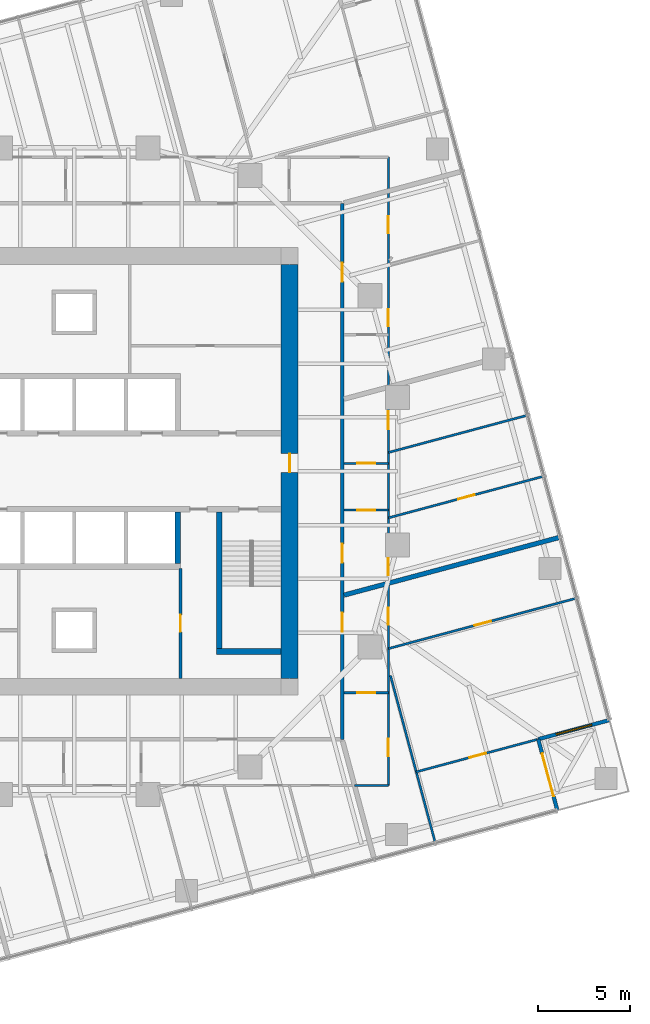
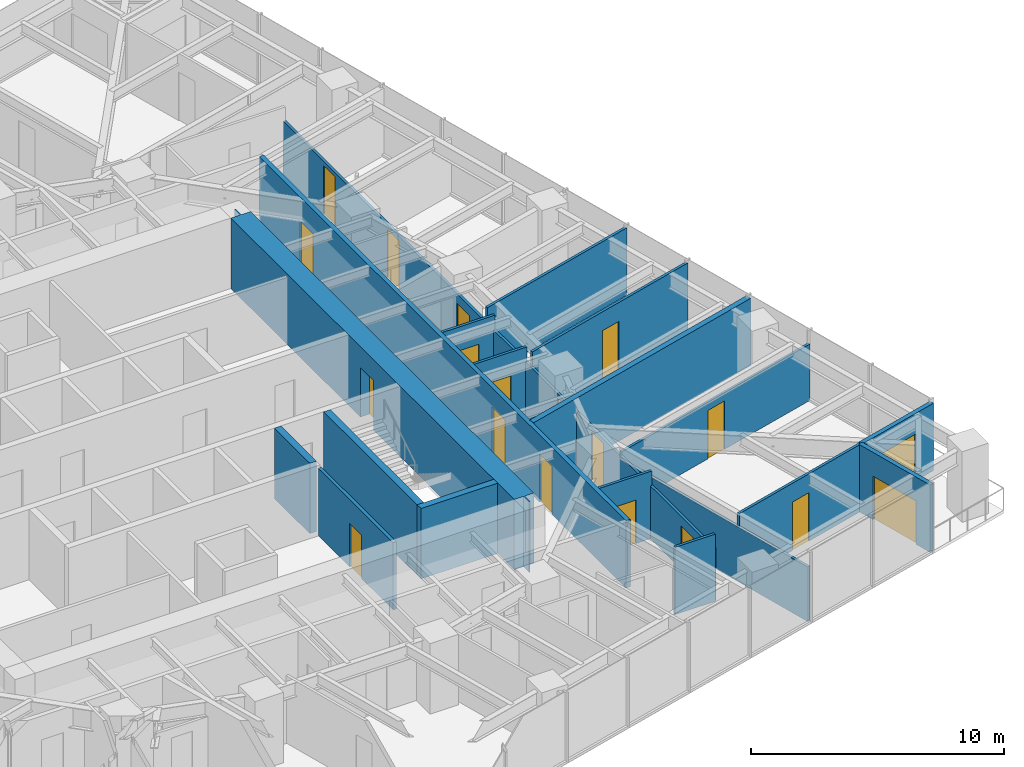
# One storey, part 10 of 13: 19 walls, 18 doors, 1 window, 19 openings.
"""IFC4 building model written with IfcOpenShell, lengths in metres."""

from ifc_helpers import new_model, si_unit, direction, frame, frame_2d, origin, place, context, subcontext, project, spatial, polyline, rectangle, outline, extrude, material, layer, layer_set, type_object, element, fill, save


model = new_model("IFC4")

# Units and contexts
model_context = context("Model", 3, precision=1e-05, world=origin(), true_north=direction((0.0, 1.0)))
body_context = subcontext(model_context, "Body", "Model", "MODEL_VIEW")
ifc_project = project(units=[si_unit("LENGTHUNIT", "METRE"), si_unit("AREAUNIT", "SQUARE_METRE"), si_unit("VOLUMEUNIT", "CUBIC_METRE"), si_unit("PLANEANGLEUNIT", "RADIAN"), si_unit("MASSUNIT", "GRAM", prefix="KILO")], contexts=[model_context])

# Site, building, storey
site_placement = place(None, origin())
site = spatial("IfcSite", under=ifc_project, at=site_placement, CompositionType="ELEMENT")
building_placement = place(site_placement, origin())
building = spatial("IfcBuilding", under=site, at=building_placement, Name="Torsade Residences", CompositionType="ELEMENT")
storey_placement = place(building_placement, frame((0.0, 0.0, 115.0)))
storey = spatial("IfcBuildingStorey", under=building, at=storey_placement, Name="L31", CompositionType="ELEMENT", Elevation=115.0)

# Walls
ifc_material_1 = material(Name="Concrete 80 MPa", Category="concrete")
ifc_layer_1 = layer(ifc_material_1, 0.300048828125)
ifc_layer_set_1 = layer_set([ifc_layer_1], Name="Concrete 80 MPa")
wall_type_1 = type_object("IfcWallType", Name="CORE INTERNAL WALL 300", PredefinedType="SHEAR", material=ifc_layer_set_1)
wall_1_placement = place(storey_placement, frame((45.60009765625, 27.800048828125, 0.0), z_axis=(0.0, 0.0, 1.0), x_axis=(0.0, -1.0, 0.0)))
element("IfcWall", 1, at=wall_1_placement, inside=storey, type_object=wall_type_1, Name="Core wall DS0 L31", PredefinedType="SHEAR", context=body_context, shape_type="SweptSolid", body=[
    extrude(rectangle(XDim=2.800048828125, YDim=0.300048828125, at=frame_2d((1.39990234375, 0.0))), origin(), (0.0, 0.0, 1.0), 3.39990234375),
])
wall_2_placement = place(storey_placement, frame((47.85009765625, 27.800048828125, 0.0), z_axis=(0.0, 0.0, 1.0), x_axis=(0.0, -1.0, 0.0)))
element("IfcWall", 2, at=wall_2_placement, inside=storey, type_object=wall_type_1, Name="Core wall ST2W L31", PredefinedType="SHEAR", context=body_context, shape_type="SweptSolid", body=[
    extrude(rectangle(XDim=7.699951171875, YDim=0.300048828125, at=frame_2d((3.85009765625, 0.0))), origin(), (0.0, 0.0, 1.0), 3.39990234375),
])
wall_3_placement = place(storey_placement, frame((51.199951171875, 20.25, 0.0), z_axis=(0.0, 0.0, 1.0), x_axis=(-1.0, 0.0, 0.0)))
element("IfcWall", 3, at=wall_3_placement, inside=storey, type_object=wall_type_1, Name="Core wall ST2S L31", PredefinedType="SHEAR", context=body_context, shape_type="SweptSolid", body=[
    extrude(rectangle(XDim=3.5, YDim=0.300048828125, at=frame_2d((1.75, 0.0))), origin(), (0.0, 0.0, 1.0), 3.39990234375),
])

# Wall, opening, door
ifc_material_2 = material(Name="Concrete 80 MPa", Category="concrete")
ifc_layer_2 = layer(ifc_material_2, 0.89990234375)
ifc_layer_set_2 = layer_set([ifc_layer_2], Name="Concrete 80 MPa")
wall_type_2 = type_object("IfcWallType", Name="CORE WALL 900", PredefinedType="SHEAR", material=ifc_layer_set_2)
wall_4_placement = place(storey_placement, frame((51.64990234375, 18.800048828125, 0.0), z_axis=(0.0, 0.0, 1.0), x_axis=(0.0, 1.0, 0.0)))
wall_4 = element("IfcWall", 4, at=wall_4_placement, inside=storey, type_object=wall_type_2, Name="Core wall E L31", PredefinedType="SHEAR", context=body_context, shape_type="SweptSolid", body=[
    extrude(outline(polyline([(0.0, -0.449951171875), (22.39990234375, -0.449951171875), (22.39990234375, -0.02490234375), (22.849853515625, -0.02490234375), (22.849853515625, 0.02490234375), (22.39990234375, 0.02490234375), (22.39990234375, 0.449951171875), (0.0, 0.449951171875), (0.0, 0.02490234375), (-0.449951171875, 0.02490234375), (-0.449951171875, -0.02490234375), (0.0, -0.02490234375), (0.0, -0.449951171875)])), origin(), (0.0, 0.0, 1.0), 3.39990234375),
])
opening_1_placement = place(wall_4_placement, frame((11.139892578125, 0.0, 0.0)))
opening_1 = element("IfcOpeningElement", 5, at=opening_1_placement, cuts=wall_4, Name="Opening D04", PredefinedType="OPENING", context=body_context, shape_type="SweptSolid", body=[
    extrude(rectangle(XDim=1.02001953125, YDim=2.39990234375, at=frame_2d((0.510009765625, 1.199951171875))), frame((0.0, 0.4599609375, 0.0), z_axis=(0.0, -1.0, 0.0), x_axis=(1.0, 0.0, 0.0)), (0.0, 0.0, 1.0), 0.919921875),
])
ifc_material_3 = material(Name="Steel-framed fire door", Category="steel")
door_type_1 = type_object("IfcDoorType", Name="LOBBY SMOKE DOOR 1020x2400", OperationType="NOTDEFINED", PredefinedType="DOOR", material=ifc_material_3)
door_1_placement = place(opening_1_placement, origin())
door_1 = element("IfcDoor", 6, at=door_1_placement, inside=storey, type_object=door_type_1, Name="Lift lobby door E L31", OperationType="SINGLE_SWING_LEFT", OverallHeight=2.39990234375, OverallWidth=1.02001953125, PredefinedType="DOOR", context=body_context, shape_type="SweptSolid", body=[
    extrude(rectangle(XDim=1.02001953125, YDim=2.39990234375, at=frame_2d((0.510009765625, 1.199951171875))), frame((0.0, 0.02490234375, 0.0), z_axis=(0.0, -1.0, 0.0), x_axis=(1.0, 0.0, 0.0)), (0.0, 0.0, 1.0), 0.050048828125),
])
fill(opening_1, door_1)

# Wall, openings, doors
ifc_material_4 = material(Name="Plasterboard on steel stud", Category="steel")
ifc_layer_3 = layer(ifc_material_4, 0.199951171875)
ifc_layer_set_3 = layer_set([ifc_layer_3], Name="Plasterboard on steel stud")
wall_type_3 = type_object("IfcWallType", Name="CORRIDOR WALL 200", PredefinedType="PARTITIONING", material=ifc_layer_set_3)
wall_5_placement = place(storey_placement, frame((54.5, 15.5, 0.0), z_axis=(0.0, 0.0, 1.0), x_axis=(0.0, 1.0, 0.0)))
wall_5 = element("IfcWall", 7, at=wall_5_placement, inside=storey, type_object=wall_type_3, Name="Corridor wall L31", PredefinedType="PARTITIONING", context=body_context, shape_type="SweptSolid", body=[
    extrude(rectangle(XDim=29.0, YDim=0.199951171875, at=frame_2d((14.5, 0.0))), origin(), (0.0, 0.0, 1.0), 3.25),
])
opening_2_placement = place(wall_5_placement, frame((24.760009765625, 0.0, 0.0)))
opening_2 = element("IfcOpeningElement", 8, at=opening_2_placement, cuts=wall_5, Name="Opening D01L", PredefinedType="OPENING", context=body_context, shape_type="SweptSolid", body=[
    extrude(rectangle(XDim=1.02001953125, YDim=2.10009765625, at=frame_2d((0.510009765625, 1.050048828125))), frame((0.0, 0.10986328125, 0.0), z_axis=(0.0, -1.0, 0.0), x_axis=(1.0, 0.0, 0.0)), (0.0, 0.0, 1.0), 0.219970703125),
])
opening_3_placement = place(wall_5_placement, frame((5.82861328125, 0.0, 0.0)))
opening_3 = element("IfcOpeningElement", 9, at=opening_3_placement, cuts=wall_5, Name="Opening D01", PredefinedType="OPENING", context=body_context, shape_type="SweptSolid", body=[
    extrude(rectangle(XDim=1.02001953125, YDim=2.340087890625, at=frame_2d((0.510009765625, 1.169921875))), frame((0.0, 0.10986328125, 0.0), z_axis=(0.0, -1.0, 0.0), x_axis=(1.0, 0.0, 0.0)), (0.0, 0.0, 1.0), 0.219970703125),
])
opening_4_placement = place(wall_5_placement, frame((9.559326171875, 0.0, 0.0)))
opening_4 = element("IfcOpeningElement", 10, at=opening_4_placement, cuts=wall_5, Name="Opening D01", PredefinedType="OPENING", context=body_context, shape_type="SweptSolid", body=[
    extrude(rectangle(XDim=1.02001953125, YDim=2.340087890625, at=frame_2d((0.510009765625, 1.169921875))), frame((0.0, 0.10986328125, 0.0), z_axis=(0.0, -1.0, 0.0), x_axis=(1.0, 0.0, 0.0)), (0.0, 0.0, 1.0), 0.219970703125),
])
ifc_material_5 = material(Name="Solid-core timber fire door", Category="wood")
door_type_2 = type_object("IfcDoorType", Name="APARTMENT ENTRY DOOR 1020x2100", OperationType="NOTDEFINED", PredefinedType="DOOR", material=ifc_material_5)
door_2_placement = place(opening_2_placement, origin())
door_2 = element("IfcDoor", 11, at=door_2_placement, inside=storey, type_object=door_type_2, Name="Door Residential corridor to Kitchen and dining", OperationType="SINGLE_SWING_LEFT", OverallHeight=2.10009765625, OverallWidth=1.02001953125, PredefinedType="DOOR", context=body_context, shape_type="SweptSolid", body=[
    extrude(rectangle(XDim=1.02001953125, YDim=2.10009765625, at=frame_2d((0.510009765625, 1.050048828125))), frame((0.0, 0.02490234375, 0.0), z_axis=(0.0, -1.0, 0.0), x_axis=(1.0, 0.0, 0.0)), (0.0, 0.0, 1.0), 0.050048828125),
])
fill(opening_2, door_2)
ifc_material_6 = material(Name="Solid-core timber fire door", Category="wood")
door_type_3 = type_object("IfcDoorType", Name="APARTMENT ENTRY DOOR 1020x2340", OperationType="NOTDEFINED", PredefinedType="DOOR", material=ifc_material_6)
door_3_placement = place(opening_3_placement, origin())
door_3 = element("IfcDoor", 12, at=door_3_placement, inside=storey, type_object=door_type_3, Name="Door Residential corridor to Kitchen and dining", OperationType="SINGLE_SWING_RIGHT", OverallHeight=2.340087890625, OverallWidth=1.02001953125, PredefinedType="DOOR", context=body_context, shape_type="SweptSolid", body=[
    extrude(rectangle(XDim=1.02001953125, YDim=2.340087890625, at=frame_2d((0.510009765625, 1.169921875))), frame((0.0, 0.02490234375, 0.0), z_axis=(0.0, -1.0, 0.0), x_axis=(1.0, 0.0, 0.0)), (0.0, 0.0, 1.0), 0.050048828125),
])
fill(opening_3, door_3)
door_4_placement = place(opening_4_placement, origin())
door_4 = element("IfcDoor", 13, at=door_4_placement, inside=storey, type_object=door_type_3, Name="Door Residential corridor to Kitchen and dining", OperationType="SINGLE_SWING_LEFT", OverallHeight=2.340087890625, OverallWidth=1.02001953125, PredefinedType="DOOR", context=body_context, shape_type="SweptSolid", body=[
    extrude(rectangle(XDim=1.02001953125, YDim=2.340087890625, at=frame_2d((0.510009765625, 1.169921875))), frame((0.0, 0.02490234375, 0.0), z_axis=(0.0, -1.0, 0.0), x_axis=(1.0, 0.0, 0.0)), (0.0, 0.0, 1.0), 0.050048828125),
])
fill(opening_4, door_4)

# Wall, opening, door
ifc_material_7 = material(Name="Plasterboard on steel stud", Category="steel")
ifc_layer_4 = layer(ifc_material_7, 0.1201171875)
ifc_layer_set_4 = layer_set([ifc_layer_4], Name="Plasterboard on steel stud")
wall_type_4 = type_object("IfcWallType", Name="PARTITION 120", PredefinedType="PARTITIONING", material=ifc_layer_set_4)
wall_6_placement = place(storey_placement, frame((57.0, 18.021484375, 0.0), z_axis=(0.0, 0.0, 1.0), x_axis=(-1.0, 0.0, 0.0)))
wall_6 = element("IfcWall", 14, at=wall_6_placement, inside=storey, type_object=wall_type_4, Name="Partition L31", PredefinedType="PARTITIONING", context=body_context, shape_type="SweptSolid", body=[
    extrude(rectangle(XDim=2.39990234375, YDim=0.1201171875, at=frame_2d((1.199951171875, 0.0))), origin(), (0.0, 0.0, 1.0), 3.25),
])
opening_5_placement = place(wall_6_placement, frame((0.719970703125, 0.0, 0.0)))
opening_5 = element("IfcOpeningElement", 15, at=opening_5_placement, cuts=wall_6, Name="Opening D05", PredefinedType="OPENING", context=body_context, shape_type="SweptSolid", body=[
    extrude(rectangle(XDim=0.9599609375, YDim=2.10009765625, at=frame_2d((0.47998046875, 1.050048828125))), frame((0.0, 0.070068359375, 0.0), z_axis=(0.0, -1.0, 0.0), x_axis=(1.0, 0.0, 0.0)), (0.0, 0.0, 1.0), 0.14013671875),
])
ifc_material_8 = material(Name="Hollow-core timber door in a steel cavity frame", Category="steel")
door_type_4 = type_object("IfcDoorType", Name="BATHROOM CAVITY SLIDING DOOR 960", OperationType="SLIDING_TO_LEFT", PredefinedType="DOOR", material=ifc_material_8)
door_5_placement = place(opening_5_placement, origin())
door_5 = element("IfcDoor", 16, at=door_5_placement, inside=storey, type_object=door_type_4, Name="Door Kitchen and dining to Bathroom", OperationType="SLIDING_TO_LEFT", OverallHeight=2.10009765625, OverallWidth=0.9599609375, PredefinedType="DOOR", context=body_context, shape_type="SweptSolid", body=[
    extrude(rectangle(XDim=0.9599609375, YDim=2.10009765625, at=frame_2d((0.47998046875, 1.050048828125))), frame((0.0, 0.02490234375, 0.0), z_axis=(0.0, -1.0, 0.0), x_axis=(1.0, 0.0, 0.0)), (0.0, 0.0, 1.0), 0.050048828125),
])
fill(opening_5, door_5)

# Wall, openings, doors
wall_7_placement = place(storey_placement, frame((57.0, 47.0, 0.0), z_axis=(0.0, 0.0, 1.0), x_axis=(0.0, -1.0, 0.0)))
wall_7 = element("IfcWall", 17, at=wall_7_placement, inside=storey, type_object=wall_type_4, Name="Partition L31", PredefinedType="PARTITIONING", context=body_context, shape_type="SweptSolid", body=[
    extrude(rectangle(XDim=34.0, YDim=0.1201171875, at=frame_2d((17.0, 0.0))), origin(), (0.0, 0.0, 1.0), 2.550048828125),
])
opening_6_placement = place(wall_7_placement, frame((8.230224609375, 0.0, 0.0)))
opening_6 = element("IfcOpeningElement", 18, at=opening_6_placement, cuts=wall_7, Name="Opening D02", PredefinedType="OPENING", context=body_context, shape_type="SweptSolid", body=[
    extrude(rectangle(XDim=0.919921875, YDim=2.340087890625, at=frame_2d((0.4599609375, 1.169921875))), frame((0.0, 0.070068359375, 0.0), z_axis=(0.0, -1.0, 0.0), x_axis=(1.0, 0.0, 0.0)), (0.0, 0.0, 1.0), 0.14013671875),
])
opening_7_placement = place(wall_7_placement, frame((3.19189453125, 0.0, 0.0)))
opening_7 = element("IfcOpeningElement", 19, at=opening_7_placement, cuts=wall_7, Name="Opening D02", PredefinedType="OPENING", context=body_context, shape_type="SweptSolid", body=[
    extrude(rectangle(XDim=0.919921875, YDim=2.340087890625, at=frame_2d((0.4599609375, 1.169921875))), frame((0.0, 0.070068359375, 0.0), z_axis=(0.0, -1.0, 0.0), x_axis=(1.0, 0.0, 0.0)), (0.0, 0.0, 1.0), 0.14013671875),
])
opening_8_placement = place(wall_7_placement, frame((24.390869140625, 0.0, 0.0)))
opening_8 = element("IfcOpeningElement", 20, at=opening_8_placement, cuts=wall_7, Name="Opening D02", PredefinedType="OPENING", context=body_context, shape_type="SweptSolid", body=[
    extrude(rectangle(XDim=0.919921875, YDim=2.340087890625, at=frame_2d((0.4599609375, 1.169921875))), frame((0.0, 0.070068359375, 0.0), z_axis=(0.0, -1.0, 0.0), x_axis=(1.0, 0.0, 0.0)), (0.0, 0.0, 1.0), 0.14013671875),
])
opening_9_placement = place(wall_7_placement, frame((21.701904296875, 0.0, 0.0)))
opening_9 = element("IfcOpeningElement", 21, at=opening_9_placement, cuts=wall_7, Name="Opening D02", PredefinedType="OPENING", context=body_context, shape_type="SweptSolid", body=[
    extrude(rectangle(XDim=0.919921875, YDim=2.340087890625, at=frame_2d((0.4599609375, 1.169921875))), frame((0.0, 0.070068359375, 0.0), z_axis=(0.0, -1.0, 0.0), x_axis=(1.0, 0.0, 0.0)), (0.0, 0.0, 1.0), 0.14013671875),
])
opening_10_placement = place(wall_7_placement, frame((31.459228515625, 0.0, 0.0)))
opening_10 = element("IfcOpeningElement", 22, at=opening_10_placement, cuts=wall_7, Name="Opening D05", PredefinedType="OPENING", context=body_context, shape_type="SweptSolid", body=[
    extrude(rectangle(XDim=0.9599609375, YDim=2.10009765625, at=frame_2d((0.47998046875, 1.050048828125))), frame((0.0, 0.070068359375, 0.0), z_axis=(0.0, -1.0, 0.0), x_axis=(1.0, 0.0, 0.0)), (0.0, 0.0, 1.0), 0.14013671875),
])
opening_11_placement = place(wall_7_placement, frame((13.75927734375, 0.0, 0.0)))
opening_11 = element("IfcOpeningElement", 23, at=opening_11_placement, cuts=wall_7, Name="Opening D05", PredefinedType="OPENING", context=body_context, shape_type="SweptSolid", body=[
    extrude(rectangle(XDim=0.9599609375, YDim=2.10009765625, at=frame_2d((0.47998046875, 1.050048828125))), frame((0.0, 0.070068359375, 0.0), z_axis=(0.0, -1.0, 0.0), x_axis=(1.0, 0.0, 0.0)), (0.0, 0.0, 1.0), 0.14013671875),
])
door_6_placement = place(opening_10_placement, origin())
door_6 = element("IfcDoor", 24, at=door_6_placement, inside=storey, type_object=door_type_4, Name="Door Bathroom to Bedroom 3", OperationType="SLIDING_TO_LEFT", OverallHeight=2.10009765625, OverallWidth=0.9599609375, PredefinedType="DOOR", context=body_context, shape_type="SweptSolid", body=[
    extrude(rectangle(XDim=0.9599609375, YDim=2.10009765625, at=frame_2d((0.47998046875, 1.050048828125))), frame((0.0, 0.02490234375, 0.0), z_axis=(0.0, -1.0, 0.0), x_axis=(1.0, 0.0, 0.0)), (0.0, 0.0, 1.0), 0.050048828125),
])
fill(opening_10, door_6)
door_7_placement = place(opening_11_placement, origin())
door_7 = element("IfcDoor", 25, at=door_7_placement, inside=storey, type_object=door_type_4, Name="Door Bathroom to Bedroom 2", OperationType="SLIDING_TO_LEFT", OverallHeight=2.10009765625, OverallWidth=0.9599609375, PredefinedType="DOOR", context=body_context, shape_type="SweptSolid", body=[
    extrude(rectangle(XDim=0.9599609375, YDim=2.10009765625, at=frame_2d((0.47998046875, 1.050048828125))), frame((0.0, 0.02490234375, 0.0), z_axis=(0.0, -1.0, 0.0), x_axis=(1.0, 0.0, 0.0)), (0.0, 0.0, 1.0), 0.050048828125),
])
fill(opening_11, door_7)
ifc_material_9 = material(Name="Hollow-core timber door", Category="wood")
door_type_5 = type_object("IfcDoorType", Name="INTERNAL DOOR 920x2340", OperationType="NOTDEFINED", PredefinedType="DOOR", material=ifc_material_9)
door_8_placement = place(opening_6_placement, origin())
door_8 = element("IfcDoor", 26, at=door_8_placement, inside=storey, type_object=door_type_5, Name="Door Kitchen and dining to Living room", OperationType="SINGLE_SWING_LEFT", OverallHeight=2.340087890625, OverallWidth=0.919921875, PredefinedType="DOOR", context=body_context, shape_type="SweptSolid", body=[
    extrude(rectangle(XDim=0.919921875, YDim=2.340087890625, at=frame_2d((0.4599609375, 1.169921875))), frame((0.0, 0.02490234375, 0.0), z_axis=(0.0, -1.0, 0.0), x_axis=(1.0, 0.0, 0.0)), (0.0, 0.0, 1.0), 0.050048828125),
])
fill(opening_6, door_8)
door_9_placement = place(opening_7_placement, origin())
door_9 = element("IfcDoor", 27, at=door_9_placement, inside=storey, type_object=door_type_5, Name="Door Kitchen and dining to Bedroom 1", OperationType="SINGLE_SWING_RIGHT", OverallHeight=2.340087890625, OverallWidth=0.919921875, PredefinedType="DOOR", context=body_context, shape_type="SweptSolid", body=[
    extrude(rectangle(XDim=0.919921875, YDim=2.340087890625, at=frame_2d((0.4599609375, 1.169921875))), frame((0.0, 0.02490234375, 0.0), z_axis=(0.0, -1.0, 0.0), x_axis=(1.0, 0.0, 0.0)), (0.0, 0.0, 1.0), 0.050048828125),
])
fill(opening_7, door_9)
door_10_placement = place(opening_8_placement, origin())
door_10 = element("IfcDoor", 28, at=door_10_placement, inside=storey, type_object=door_type_5, Name="Door Kitchen and dining to Bedroom 1", OperationType="SINGLE_SWING_RIGHT", OverallHeight=2.340087890625, OverallWidth=0.919921875, PredefinedType="DOOR", context=body_context, shape_type="SweptSolid", body=[
    extrude(rectangle(XDim=0.919921875, YDim=2.340087890625, at=frame_2d((0.4599609375, 1.169921875))), frame((0.0, 0.02490234375, 0.0), z_axis=(0.0, -1.0, 0.0), x_axis=(1.0, 0.0, 0.0)), (0.0, 0.0, 1.0), 0.050048828125),
])
fill(opening_8, door_10)
door_11_placement = place(opening_9_placement, origin())
door_11 = element("IfcDoor", 29, at=door_11_placement, inside=storey, type_object=door_type_5, Name="Door Kitchen and dining to Living room", OperationType="SINGLE_SWING_LEFT", OverallHeight=2.340087890625, OverallWidth=0.919921875, PredefinedType="DOOR", context=body_context, shape_type="SweptSolid", body=[
    extrude(rectangle(XDim=0.919921875, YDim=2.340087890625, at=frame_2d((0.4599609375, 1.169921875))), frame((0.0, 0.02490234375, 0.0), z_axis=(0.0, -1.0, 0.0), x_axis=(1.0, 0.0, 0.0)), (0.0, 0.0, 1.0), 0.050048828125),
])
fill(opening_9, door_11)

# Wall
wall_8_placement = place(storey_placement, frame((57.0, 13.0, 0.0), z_axis=(0.0, 0.0, 1.0), x_axis=(-1.0, 0.0, 0.0)))
element("IfcWall", 30, at=wall_8_placement, inside=storey, type_object=wall_type_4, Name="Partition L31", PredefinedType="PARTITIONING", context=body_context, shape_type="SweptSolid", body=[
    extrude(rectangle(XDim=1.833251953125, YDim=0.1201171875, at=frame_2d((0.91650390625, 0.0))), origin(), (0.0, 0.0, 1.0), 3.25),
])

# Wall, opening, door
wall_9_placement = place(storey_placement, frame((57.0, 20.40625, 0.0), z_axis=(0.0, 0.0, 1.0), x_axis=(0.9659257847, 0.258819200315, 0.0)))
wall_9 = element("IfcWall", 31, at=wall_9_placement, inside=storey, type_object=wall_type_4, Name="Partition L31", PredefinedType="PARTITIONING", context=body_context, shape_type="SweptSolid", body=[
    extrude(rectangle(XDim=10.5224609375, YDim=0.1201171875, at=frame_2d((5.26123046875, 0.0))), origin(), (0.0, 0.0, 1.0), 2.721923828125),
])
opening_12_placement = place(wall_9_placement, frame((4.821044921875, 0.0, 0.0)))
opening_12 = element("IfcOpeningElement", 32, at=opening_12_placement, cuts=wall_9, Name="Opening D02", PredefinedType="OPENING", context=body_context, shape_type="SweptSolid", body=[
    extrude(rectangle(XDim=0.919921875, YDim=2.340087890625, at=frame_2d((0.4599609375, 1.169921875))), frame((0.0, 0.070068359375, 0.0), z_axis=(0.0, -1.0, 0.0), x_axis=(1.0, 0.0, 0.0)), (0.0, 0.0, 1.0), 0.14013671875),
])
door_12_placement = place(opening_12_placement, origin())
door_12 = element("IfcDoor", 33, at=door_12_placement, inside=storey, type_object=door_type_5, Name="Door Bedroom 1 to Living room", OperationType="SINGLE_SWING_RIGHT", OverallHeight=2.340087890625, OverallWidth=0.919921875, PredefinedType="DOOR", context=body_context, shape_type="SweptSolid", body=[
    extrude(rectangle(XDim=0.919921875, YDim=2.340087890625, at=frame_2d((0.4599609375, 1.169921875))), frame((0.0, 0.02490234375, 0.0), z_axis=(0.0, -1.0, 0.0), x_axis=(1.0, 0.0, 0.0)), (0.0, 0.0, 1.0), 0.050048828125),
])
fill(opening_12, door_12)

wall_10_placement = place(storey_placement, frame((65.068603515625, 15.493896484375, 0.0), z_axis=(0.0, 0.0, 1.0), x_axis=(-0.965922865286, -0.258830095464, 0.0)))
wall_10 = element("IfcWall", 34, at=wall_10_placement, inside=storey, type_object=wall_type_4, Name="Partition L31", PredefinedType="PARTITIONING", context=body_context, shape_type="SweptSolid", body=[
    extrude(rectangle(XDim=6.793212890625, YDim=0.1201171875, at=frame_2d((3.396484375, 0.0))), origin(), (0.0, 0.0, 1.0), 3.25),
])
opening_13_placement = place(wall_10_placement, frame((2.8916015625, 0.0, 0.0)))
opening_13 = element("IfcOpeningElement", 35, at=opening_13_placement, cuts=wall_10, Name="Opening D02", PredefinedType="OPENING", context=body_context, shape_type="SweptSolid", body=[
    extrude(rectangle(XDim=0.919921875, YDim=2.340087890625, at=frame_2d((0.4599609375, 1.169921875))), frame((0.0, 0.070068359375, 0.0), z_axis=(0.0, -1.0, 0.0), x_axis=(1.0, 0.0, 0.0)), (0.0, 0.0, 1.0), 0.14013671875),
])
door_13_placement = place(opening_13_placement, origin())
door_13 = element("IfcDoor", 36, at=door_13_placement, inside=storey, type_object=door_type_5, Name="Door Living room to Bedroom 2", OperationType="SINGLE_SWING_LEFT", OverallHeight=2.340087890625, OverallWidth=0.919921875, PredefinedType="DOOR", context=body_context, shape_type="SweptSolid", body=[
    extrude(rectangle(XDim=0.919921875, YDim=2.340087890625, at=frame_2d((0.4599609375, 1.169921875))), frame((0.0, 0.02490234375, 0.0), z_axis=(0.0, -1.0, 0.0), x_axis=(1.0, 0.0, 0.0)), (0.0, 0.0, 1.0), 0.050048828125),
])
fill(opening_13, door_13)

# Wall
wall_11_placement = place(storey_placement, frame((59.53173828125, 9.91064453125, 0.0), z_axis=(0.0, 0.0, 1.0), x_axis=(-0.25881390457, 0.965927203676, 0.0)))
element("IfcWall", 37, at=wall_11_placement, inside=storey, type_object=wall_type_4, Name="Partition L31", PredefinedType="PARTITIONING", context=body_context, shape_type="SweptSolid", body=[
    extrude(rectangle(XDim=9.356689453125, YDim=0.1201171875, at=frame_2d((4.67822265625, 0.0))), origin(), (0.0, 0.0, 1.0), 2.637939453125),
])

# Wall, opening, door
wall_12_placement = place(storey_placement, frame((54.60009765625, 27.900634765625, 0.0), z_axis=(0.0, 0.0, 1.0), x_axis=(1.0, 0.0, 0.0)))
wall_12 = element("IfcWall", 38, at=wall_12_placement, inside=storey, type_object=wall_type_4, Name="Partition L31", PredefinedType="PARTITIONING", context=body_context, shape_type="SweptSolid", body=[
    extrude(rectangle(XDim=2.39990234375, YDim=0.1201171875, at=frame_2d((1.199951171875, 0.0))), origin(), (0.0, 0.0, 1.0), 3.25),
])
opening_14_placement = place(wall_12_placement, frame((0.719970703125, 0.0, 0.0)))
opening_14 = element("IfcOpeningElement", 39, at=opening_14_placement, cuts=wall_12, Name="Opening D05", PredefinedType="OPENING", context=body_context, shape_type="SweptSolid", body=[
    extrude(rectangle(XDim=0.9599609375, YDim=2.10009765625, at=frame_2d((0.47998046875, 1.050048828125))), frame((0.0, 0.070068359375, 0.0), z_axis=(0.0, -1.0, 0.0), x_axis=(1.0, 0.0, 0.0)), (0.0, 0.0, 1.0), 0.14013671875),
])
door_14_placement = place(opening_14_placement, origin())
door_14 = element("IfcDoor", 40, at=door_14_placement, inside=storey, type_object=door_type_4, Name="Door Kitchen and dining to Ensuite", OperationType="SLIDING_TO_LEFT", OverallHeight=2.10009765625, OverallWidth=0.9599609375, PredefinedType="DOOR", context=body_context, shape_type="SweptSolid", body=[
    extrude(rectangle(XDim=0.9599609375, YDim=2.10009765625, at=frame_2d((0.47998046875, 1.050048828125))), frame((0.0, 0.02490234375, 0.0), z_axis=(0.0, -1.0, 0.0), x_axis=(1.0, 0.0, 0.0)), (0.0, 0.0, 1.0), 0.050048828125),
])
fill(opening_14, door_14)

wall_13_placement = place(storey_placement, frame((57.0, 30.4296875, 0.0), z_axis=(0.0, 0.0, 1.0), x_axis=(-1.0, 0.0, 0.0)))
wall_13 = element("IfcWall", 41, at=wall_13_placement, inside=storey, type_object=wall_type_4, Name="Partition L31", PredefinedType="PARTITIONING", context=body_context, shape_type="SweptSolid", body=[
    extrude(rectangle(XDim=2.39990234375, YDim=0.1201171875, at=frame_2d((1.199951171875, 0.0))), origin(), (0.0, 0.0, 1.0), 3.25),
])
opening_15_placement = place(wall_13_placement, frame((0.719970703125, 0.0, 0.0)))
opening_15 = element("IfcOpeningElement", 42, at=opening_15_placement, cuts=wall_13, Name="Opening D05", PredefinedType="OPENING", context=body_context, shape_type="SweptSolid", body=[
    extrude(rectangle(XDim=0.9599609375, YDim=2.10009765625, at=frame_2d((0.47998046875, 1.050048828125))), frame((0.0, 0.070068359375, 0.0), z_axis=(0.0, -1.0, 0.0), x_axis=(1.0, 0.0, 0.0)), (0.0, 0.0, 1.0), 0.14013671875),
])
door_15_placement = place(opening_15_placement, origin())
door_15 = element("IfcDoor", 43, at=door_15_placement, inside=storey, type_object=door_type_4, Name="Door Ensuite to Bathroom", OperationType="SLIDING_TO_LEFT", OverallHeight=2.10009765625, OverallWidth=0.9599609375, PredefinedType="DOOR", context=body_context, shape_type="SweptSolid", body=[
    extrude(rectangle(XDim=0.9599609375, YDim=2.10009765625, at=frame_2d((0.47998046875, 1.050048828125))), frame((0.0, 0.02490234375, 0.0), z_axis=(0.0, -1.0, 0.0), x_axis=(1.0, 0.0, 0.0)), (0.0, 0.0, 1.0), 0.050048828125),
])
fill(opening_15, door_15)

wall_14_placement = place(storey_placement, frame((57.0, 27.480712890625, 0.0), z_axis=(0.0, 0.0, 1.0), x_axis=(0.965925607751, 0.258819860698, 0.0)))
wall_14 = element("IfcWall", 44, at=wall_14_placement, inside=storey, type_object=wall_type_4, Name="Partition L31", PredefinedType="PARTITIONING", context=body_context, shape_type="SweptSolid", body=[
    extrude(rectangle(XDim=8.69140625, YDim=0.1201171875, at=frame_2d((4.345703125, 0.0))), origin(), (0.0, 0.0, 1.0), 3.25),
])
opening_16_placement = place(wall_14_placement, frame((3.90576171875, 0.0, 0.0)))
opening_16 = element("IfcOpeningElement", 45, at=opening_16_placement, cuts=wall_14, Name="Opening D02", PredefinedType="OPENING", context=body_context, shape_type="SweptSolid", body=[
    extrude(rectangle(XDim=0.919921875, YDim=2.340087890625, at=frame_2d((0.4599609375, 1.169921875))), frame((0.0, 0.070068359375, 0.0), z_axis=(0.0, -1.0, 0.0), x_axis=(1.0, 0.0, 0.0)), (0.0, 0.0, 1.0), 0.14013671875),
])
door_16_placement = place(opening_16_placement, origin())
door_16 = element("IfcDoor", 46, at=door_16_placement, inside=storey, type_object=door_type_5, Name="Door Living room to Bedroom 1", OperationType="SINGLE_SWING_LEFT", OverallHeight=2.340087890625, OverallWidth=0.919921875, PredefinedType="DOOR", context=body_context, shape_type="SweptSolid", body=[
    extrude(rectangle(XDim=0.919921875, YDim=2.340087890625, at=frame_2d((0.4599609375, 1.169921875))), frame((0.0, 0.02490234375, 0.0), z_axis=(0.0, -1.0, 0.0), x_axis=(1.0, 0.0, 0.0)), (0.0, 0.0, 1.0), 0.050048828125),
])
fill(opening_16, door_16)

# Walls
wall_15_placement = place(storey_placement, frame((57.0, 31.01806640625, 0.0), z_axis=(0.0, 0.0, 1.0), x_axis=(0.965927309482, 0.258813509689, 0.0)))
element("IfcWall", 47, at=wall_15_placement, inside=storey, type_object=wall_type_4, Name="Partition L31", PredefinedType="PARTITIONING", context=body_context, shape_type="SweptSolid", body=[
    extrude(rectangle(XDim=7.775634765625, YDim=0.1201171875, at=frame_2d((3.8876953125, 0.0))), origin(), (0.0, 0.0, 1.0), 3.25),
])
ifc_material_10 = material(Name="Masonry-lined stud party wall", Category="masonry")
ifc_layer_5 = layer(ifc_material_10, 0.25)
ifc_layer_set_5 = layer_set([ifc_layer_5], Name="Masonry-lined stud party wall")
wall_type_5 = type_object("IfcWallType", Name="PARTY WALL 250", PredefinedType="PARTITIONING", material=ifc_layer_set_5)
wall_16_placement = place(storey_placement, frame((66.318115234375, 26.4404296875, 0.0), z_axis=(0.0, 0.0, 1.0), x_axis=(-0.965924438766, -0.258824223352, 0.0)))
element("IfcWall", 48, at=wall_16_placement, inside=storey, type_object=wall_type_5, Name="Party wall L31", PredefinedType="PARTITIONING", context=body_context, shape_type="SweptSolid", body=[
    extrude(rectangle(XDim=12.137939453125, YDim=0.25, at=frame_2d((6.06884765625, 0.0))), origin(), (0.0, 0.0, 1.0), 3.25),
])

# Wall, opening, door
ifc_material_11 = material(Name="Reinforced blockwork", Category="masonry")
ifc_layer_6 = layer(ifc_material_11, 0.14990234375)
ifc_layer_set_6 = layer_set([ifc_layer_6], Name="Reinforced blockwork")
wall_type_6 = type_object("IfcWallType", Name="SERVICE ROOM WALL 150", PredefinedType="SOLIDWALL", material=ifc_layer_set_6)
wall_17_placement = place(storey_placement, frame((45.75, 18.800048828125, 0.0), z_axis=(0.0, 0.0, 1.0), x_axis=(0.0, 1.0, 0.0)))
wall_17 = element("IfcWall", 49, at=wall_17_placement, inside=storey, type_object=wall_type_6, Name="Service room wall L31", PredefinedType="SOLIDWALL", context=body_context, shape_type="SweptSolid", body=[
    extrude(rectangle(XDim=5.949951171875, YDim=0.14990234375, at=frame_2d((2.97509765625, 0.0))), origin(), (0.0, 0.0, 1.0), 3.25),
])
opening_17_placement = place(wall_17_placement, frame((2.514892578125, 0.0, 0.0)))
opening_17 = element("IfcOpeningElement", 50, at=opening_17_placement, cuts=wall_17, Name="Opening D06", PredefinedType="OPENING", context=body_context, shape_type="SweptSolid", body=[
    extrude(rectangle(XDim=0.919921875, YDim=2.10009765625, at=frame_2d((0.4599609375, 1.050048828125))), frame((0.0, 0.0849609375, 0.0), z_axis=(0.0, -1.0, 0.0), x_axis=(1.0, 0.0, 0.0)), (0.0, 0.0, 1.0), 0.169921875),
])
ifc_material_12 = material(Name="Steel-framed fire door", Category="steel")
door_type_6 = type_object("IfcDoorType", Name="FIRE DOOR 920", OperationType="NOTDEFINED", PredefinedType="DOOR", material=ifc_material_12)
door_17_placement = place(opening_17_placement, origin())
door_17 = element("IfcDoor", 51, at=door_17_placement, inside=storey, type_object=door_type_6, Name="Door Security and data store to Communications riser room", OperationType="SINGLE_SWING_LEFT", OverallHeight=2.10009765625, OverallWidth=0.919921875, PredefinedType="DOOR", context=body_context, shape_type="SweptSolid", body=[
    extrude(rectangle(XDim=0.919921875, YDim=2.10009765625, at=frame_2d((0.4599609375, 1.050048828125))), frame((0.0, 0.02490234375, 0.0), z_axis=(0.0, -1.0, 0.0), x_axis=(1.0, 0.0, 0.0)), (0.0, 0.0, 1.0), 0.050048828125),
])
fill(opening_17, door_17)

ifc_material_13 = material(Name="Stone-faced precast concrete 40 MPa panel", Category="masonry")
ifc_layer_7 = layer(ifc_material_13, 0.199951171875)
ifc_layer_set_7 = layer_set([ifc_layer_7], Name="Stone-faced precast concrete 40 MPa panel")
wall_type_7 = type_object("IfcWallType", Name="TERRACE WALL 200", PredefinedType="SOLIDWALL", material=ifc_layer_set_7)
wall_18_placement = place(storey_placement, frame((66.142578125, 11.640625, 0.0), z_axis=(0.0, 0.0, 1.0), x_axis=(-0.258843877716, 0.965919172068, 0.0)))
wall_18 = element("IfcWall", 52, at=wall_18_placement, inside=storey, type_object=wall_type_7, Name="Terrace wall L31 2", PredefinedType="SOLIDWALL", context=body_context, shape_type="SweptSolid", body=[
    extrude(rectangle(XDim=4.0, YDim=0.199951171875, at=frame_2d((2.0, 0.0))), origin(), (0.0, 0.0, 1.0), 3.25),
])
opening_18_placement = place(wall_18_placement, frame((0.800048828125, 0.0, 0.0)))
opening_18 = element("IfcOpeningElement", 53, at=opening_18_placement, cuts=wall_18, Name="Opening D10A", PredefinedType="OPENING", context=body_context, shape_type="SweptSolid", body=[
    extrude(rectangle(XDim=2.39990234375, YDim=2.10009765625, at=frame_2d((1.199951171875, 1.050048828125))), frame((0.0, 0.10986328125, 0.0), z_axis=(0.0, -1.0, 0.0), x_axis=(1.0, 0.0, 0.0)), (0.0, 0.0, 1.0), 0.219970703125),
])
ifc_material_14 = material(Name="Aluminium-framed glass door", Category="aluminium")
door_type_7 = type_object("IfcDoorType", Name="TERRACE SLIDING DOOR 2400x2100", OperationType="SLIDING_TO_LEFT", PredefinedType="DOOR", material=ifc_material_14)
door_18_placement = place(opening_18_placement, origin())
door_18 = element("IfcDoor", 54, at=door_18_placement, inside=storey, type_object=door_type_7, Name="Terrace door L31 2", OperationType="SLIDING_TO_LEFT", OverallHeight=2.10009765625, OverallWidth=2.39990234375, PredefinedType="DOOR", context=body_context, shape_type="SweptSolid", body=[
    extrude(rectangle(XDim=2.39990234375, YDim=2.10009765625, at=frame_2d((1.199951171875, 1.050048828125))), frame((0.0, 0.02490234375, 0.0), z_axis=(0.0, -1.0, 0.0), x_axis=(1.0, 0.0, 0.0)), (0.0, 0.0, 1.0), 0.050048828125),
])
fill(opening_18, door_18)

# Wall, opening, window
wall_19_placement = place(storey_placement, frame((65.107177734375, 15.50439453125, 0.0), z_axis=(0.0, 0.0, 1.0), x_axis=(0.965934430412, 0.258786931944, 0.0)))
wall_19 = element("IfcWall", 55, at=wall_19_placement, inside=storey, type_object=wall_type_7, Name="Terrace wall L31 3", PredefinedType="SOLIDWALL", context=body_context, shape_type="SweptSolid", body=[
    extrude(rectangle(XDim=4.0, YDim=0.199951171875, at=frame_2d((2.0, 0.0))), origin(), (0.0, 0.0, 1.0), 3.25),
])
opening_19_placement = place(wall_19_placement, frame((1.0, 0.0, 0.449951171875)))
opening_19 = element("IfcOpeningElement", 56, at=opening_19_placement, cuts=wall_19, Name="Opening W1B", PredefinedType="OPENING", context=body_context, shape_type="SweptSolid", body=[
    extrude(rectangle(XDim=2.0, YDim=1.800048828125, at=frame_2d((1.0, 0.89990234375))), frame((0.0, 0.10986328125, 0.0), z_axis=(0.0, -1.0, 0.0), x_axis=(1.0, 0.0, 0.0)), (0.0, 0.0, 1.0), 0.219970703125),
])
ifc_material_15 = material(Name="Aluminium-framed glass window", Category="aluminium")
window_type = type_object("IfcWindowType", Name="TERRACE WINDOW 2000x1800", PartitioningType="SINGLE_PANEL", PredefinedType="WINDOW", material=ifc_material_15)
window_placement = place(opening_19_placement, origin())
window = element("IfcWindow", 57, at=window_placement, inside=storey, type_object=window_type, Name="Terrace window L31 3", OverallHeight=1.800048828125, OverallWidth=2.0, PartitioningType="SINGLE_PANEL", PredefinedType="WINDOW", context=body_context, shape_type="SweptSolid", body=[
    extrude(rectangle(XDim=2.0, YDim=1.800048828125, at=frame_2d((1.0, 0.89990234375))), frame((0.0, 0.030029296875, 0.0), z_axis=(0.0, -1.0, 0.0), x_axis=(1.0, 0.0, 0.0)), (0.0, 0.0, 1.0), 0.06005859375),
])
fill(opening_19, window)

save(model, "model.ifc")
